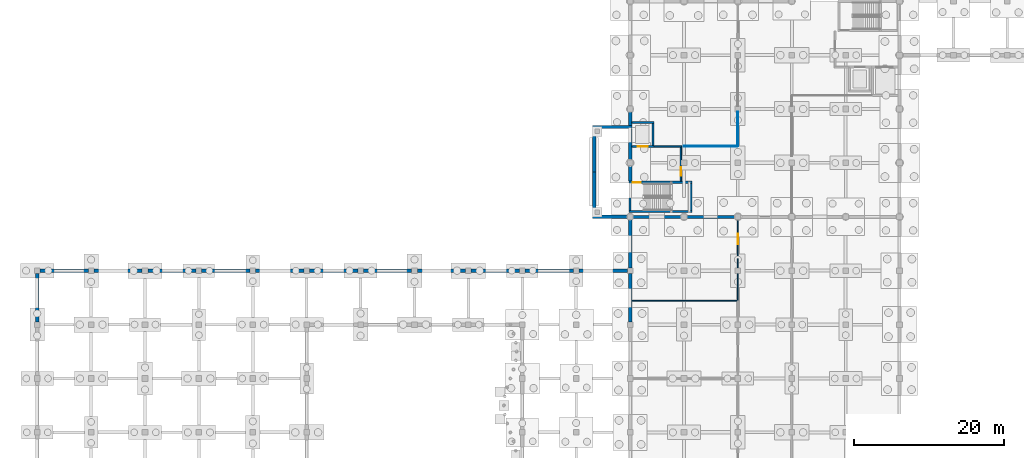
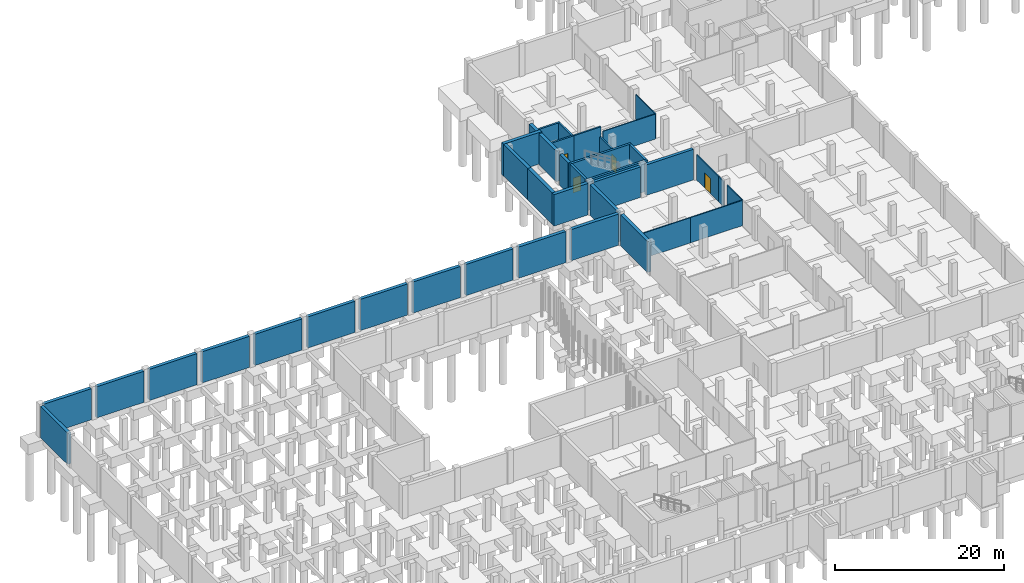
# One storey, part 27 of 35: 39 walls, 4 doors, 4 openings.
"""IFC4 building model written with IfcOpenShell, lengths in metres."""

from ifc_helpers import new_model, si_unit, direction, frame, frame_2d, origin, place, context, subcontext, project, spatial, rectangle, extrude, material, layer, layer_set, type_object, element, fill, save


model = new_model("IFC4")

# Units and contexts
model_context = context("Model", 3, precision=1e-05, world=origin(), true_north=direction((0.0, 1.0)))
body_context = subcontext(model_context, "Body", "Model", "MODEL_VIEW")
ifc_project = project(units=[si_unit("LENGTHUNIT", "METRE"), si_unit("AREAUNIT", "SQUARE_METRE"), si_unit("VOLUMEUNIT", "CUBIC_METRE"), si_unit("PLANEANGLEUNIT", "RADIAN"), si_unit("MASSUNIT", "GRAM", prefix="KILO"), si_unit("THERMODYNAMICTEMPERATUREUNIT", "KELVIN"), si_unit("POWERUNIT", "WATT")], contexts=[model_context])

# Site, building, storey
site_placement = place(None, origin())
site = spatial("IfcSite", under=ifc_project, at=site_placement, CompositionType="ELEMENT")
building_placement = place(site_placement, origin())
building = spatial("IfcBuilding", under=site, at=building_placement, Name="Kaldorven Railside Theatre", CompositionType="ELEMENT")
storey_placement = place(building_placement, frame((0.0, 0.0, -4.800048828125)))
storey = spatial("IfcBuildingStorey", under=building, at=storey_placement, Name="B1", CompositionType="ELEMENT", Elevation=-4.800048828125)

# Walls
ifc_material_1 = material(Name="Concrete C40/50", Category="concrete")
ifc_layer_1 = layer(ifc_material_1, 0.449951171875, Name="Concrete C40/50")
ifc_layer_set_1 = layer_set([ifc_layer_1], Name="Concrete C40/50")
wall_type_1 = type_object("IfcWallType", Name="WL-EW01", PredefinedType="SHEAR", material=ifc_layer_set_1)
for number, where, z_axis, x_axis, name in (
    (1, (8.0, 69.97509765625, 0.0), (0.0, 0.0, 1.0), (0.0, 1.0, 0.0), "Basement Plinth Retaining Wall EW-0008"),
    (2, (8.375, 76.800048828125, 0.0), (0.0, 0.0, 1.0), (1.0, 0.0, 0.0), "Basement Plinth Retaining Wall EW-0009"),
    (3, (15.574951171875, 76.800048828125, 0.0), (0.0, 0.0, 1.0), (1.0, 0.0, 0.0), "Basement Plinth Retaining Wall EW-0010"),
):
    element("IfcWall", number, at=place(storey_placement, frame(where, z_axis=z_axis, x_axis=x_axis)), inside=storey, type_object=wall_type_1, Name=name, PredefinedType="SHEAR", context=body_context, shape_type="SweptSolid", body=[
        extrude(rectangle(XDim=6.449951171875, YDim=0.449951171875, at=frame_2d((3.22509765625, 0.0))), origin(), (0.0, 0.0, 1.0), 4.5),
    ])
wall_1_placement = place(storey_placement, frame((22.77490234375, 76.800048828125, 0.0), z_axis=(0.0, 0.0, 1.0), x_axis=(1.0, 0.0, 0.0)))
element("IfcWall", 4, at=wall_1_placement, inside=storey, type_object=wall_type_1, Name="Basement Plinth Retaining Wall EW-0011", PredefinedType="SHEAR", context=body_context, shape_type="SweptSolid", body=[
    extrude(rectangle(XDim=6.4501953125, YDim=0.449951171875, at=frame_2d((3.22509765625, 0.0))), origin(), (0.0, 0.0, 1.0), 4.5),
])
for number, where, z_axis, x_axis, name in (
    (5, (29.97509765625, 76.800048828125, 0.0), (0.0, 0.0, 1.0), (1.0, 0.0, 0.0), "Basement Plinth Retaining Wall EW-0012"),
    (6, (37.175048828125, 76.800048828125, 0.0), (0.0, 0.0, 1.0), (1.0, 0.0, 0.0), "Basement Plinth Retaining Wall EW-0013"),
    (7, (44.375, 76.800048828125, 0.0), (0.0, 0.0, 1.0), (1.0, 0.0, 0.0), "Basement Plinth Retaining Wall EW-0014"),
    (8, (51.574951171875, 76.800048828125, 0.0), (0.0, 0.0, 1.0), (1.0, 0.0, 0.0), "Basement Plinth Retaining Wall EW-0015"),
):
    element("IfcWall", number, at=place(storey_placement, frame(where, z_axis=z_axis, x_axis=x_axis)), inside=storey, type_object=wall_type_1, Name=name, PredefinedType="SHEAR", context=body_context, shape_type="SweptSolid", body=[
        extrude(rectangle(XDim=6.449951171875, YDim=0.449951171875, at=frame_2d((3.22509765625, 0.0))), origin(), (0.0, 0.0, 1.0), 4.5),
    ])
wall_2_placement = place(storey_placement, frame((58.77490234375, 76.800048828125, 0.0), z_axis=(0.0, 0.0, 1.0), x_axis=(1.0, 0.0, 0.0)))
element("IfcWall", 9, at=wall_2_placement, inside=storey, type_object=wall_type_1, Name="Basement Plinth Retaining Wall EW-0016", PredefinedType="SHEAR", context=body_context, shape_type="SweptSolid", body=[
    extrude(rectangle(XDim=6.4501953125, YDim=0.449951171875, at=frame_2d((3.22509765625, 0.0))), origin(), (0.0, 0.0, 1.0), 4.5),
])
for number, where, z_axis, x_axis, name in (
    (10, (65.97509765625, 76.800048828125, 0.0), (0.0, 0.0, 1.0), (1.0, 0.0, 0.0), "Basement Plinth Retaining Wall EW-0017"),
    (11, (73.175048828125, 76.800048828125, 0.0), (0.0, 0.0, 1.0), (1.0, 0.0, 0.0), "Basement Plinth Retaining Wall EW-0018"),
    (12, (80.375, 76.800048828125, 0.0), (0.0, 0.0, 1.0), (1.0, 0.0, 0.0), "Basement Plinth Retaining Wall EW-0019"),
):
    element("IfcWall", number, at=place(storey_placement, frame(where, z_axis=z_axis, x_axis=x_axis)), inside=storey, type_object=wall_type_1, Name=name, PredefinedType="SHEAR", context=body_context, shape_type="SweptSolid", body=[
        extrude(rectangle(XDim=6.449951171875, YDim=0.449951171875, at=frame_2d((3.22509765625, 0.0))), origin(), (0.0, 0.0, 1.0), 4.5),
    ])
wall_3_placement = place(storey_placement, frame((87.199951171875, 77.175048828125, 0.0), z_axis=(0.0, 0.0, 1.0), x_axis=(0.0, 1.0, 0.0)))
element("IfcWall", 13, at=wall_3_placement, inside=storey, type_object=wall_type_1, Name="Basement Plinth Retaining Wall EW-0020", PredefinedType="SHEAR", context=body_context, shape_type="SweptSolid", body=[
    extrude(rectangle(XDim=6.449951171875, YDim=0.449951171875, at=frame_2d((3.22509765625, 0.0))), origin(), (0.0, 0.0, 1.0), 4.449951171875),
])
wall_4_placement = place(storey_placement, frame((86.824951171875, 84.0, 0.0), z_axis=(0.0, 0.0, 1.0), x_axis=(-1.0, 0.0, 0.0)))
element("IfcWall", 14, at=wall_4_placement, inside=storey, type_object=wall_type_1, Name="Basement Plinth Retaining Wall EW-0021", PredefinedType="SHEAR", context=body_context, shape_type="SweptSolid", body=[
    extrude(rectangle(XDim=4.64990234375, YDim=0.449951171875, at=frame_2d((2.324951171875, 0.0))), origin(), (0.0, 0.0, 1.0), 4.550048828125),
])
for number, where, z_axis, x_axis, name in (
    (15, (82.39990234375, 84.22509765625, 0.0), (0.0, 0.0, 1.0), (0.0, 1.0, 0.0), "Basement Plinth Retaining Wall EW-0022"),
    (16, (82.39990234375, 90.0, 0.0), (0.0, 0.0, 1.0), (0.0, 1.0, 0.0), "Basement Plinth Retaining Wall EW-0023"),
):
    element("IfcWall", number, at=place(storey_placement, frame(where, z_axis=z_axis, x_axis=x_axis)), inside=storey, type_object=wall_type_1, Name=name, PredefinedType="SHEAR", context=body_context, shape_type="SweptSolid", body=[
        extrude(rectangle(XDim=5.77490234375, YDim=0.449951171875, at=frame_2d((2.887451171875, 0.0))), origin(), (0.0, 0.0, 1.0), 4.550048828125),
    ])
wall_5_placement = place(storey_placement, frame((82.175048828125, 96.0, 0.0), z_axis=(0.0, 0.0, 1.0), x_axis=(1.0, 0.0, 0.0)))
element("IfcWall", 17, at=wall_5_placement, inside=storey, type_object=wall_type_1, Name="Basement Plinth Retaining Wall EW-0024", PredefinedType="SHEAR", context=body_context, shape_type="SweptSolid", body=[
    extrude(rectangle(XDim=5.25, YDim=0.449951171875, at=frame_2d((2.625, 0.0))), origin(), (0.0, 0.0, 1.0), 4.550048828125),
])
wall_6_placement = place(storey_placement, frame((87.199951171875, 96.22509765625, 0.0), z_axis=(0.0, 0.0, 1.0), x_axis=(0.0, 1.0, 0.0)))
element("IfcWall", 18, at=wall_6_placement, inside=storey, type_object=wall_type_1, Name="Basement Plinth Retaining Wall EW-0025", PredefinedType="SHEAR", context=body_context, shape_type="SweptSolid", body=[
    extrude(rectangle(XDim=1.7998046875, YDim=0.449951171875, at=frame_2d((0.89990234375, 0.0))), origin(), (0.0, 0.0, 1.0), 4.420166015625),
])
wall_7_placement = place(storey_placement, frame((87.199951171875, 69.97509765625, 0.0), z_axis=(0.0, 0.0, 1.0), x_axis=(0.0, 1.0, 0.0)))
element("IfcWall", 19, at=wall_7_placement, inside=storey, type_object=wall_type_1, Name="Basement Compartment Retaining Wall EW-0120", PredefinedType="SHEAR", context=body_context, shape_type="SweptSolid", body=[
    extrude(rectangle(XDim=6.449951171875, YDim=0.449951171875, at=frame_2d((3.22509765625, 0.0))), origin(), (0.0, 0.0, 1.0), 4.449951171875),
])
wall_8_placement = place(storey_placement, frame((87.199951171875, 88.75, 0.0), z_axis=(0.0, 0.0, 1.0), x_axis=(0.0, 1.0, 0.0)))
element("IfcWall", 20, at=wall_8_placement, inside=storey, type_object=wall_type_1, Name="Basement Compartment Retaining Wall EW-0121", PredefinedType="SHEAR", context=body_context, shape_type="SweptSolid", body=[
    extrude(rectangle(XDim=2.074951171875, YDim=0.449951171875, at=frame_2d((1.03759765625, 0.0))), origin(), (0.0, 0.0, 1.0), 4.420166015625),
])
wall_9_placement = place(storey_placement, frame((87.199951171875, 91.574951171875, 0.0), z_axis=(0.0, 0.0, 1.0), x_axis=(0.0, 1.0, 0.0)))
element("IfcWall", 21, at=wall_9_placement, inside=storey, type_object=wall_type_1, Name="Basement Compartment Retaining Wall EW-0122", PredefinedType="SHEAR", context=body_context, shape_type="SweptSolid", body=[
    extrude(rectangle(XDim=4.125, YDim=0.449951171875, at=frame_2d((2.0625, 0.0))), origin(), (0.0, 0.0, 1.0), 4.420166015625),
])
ifc_material_2 = material(Name="Acoustic gypsum board")
ifc_layer_2 = layer(ifc_material_2, 0.139892578125, Name="Acoustic gypsum board")
ifc_layer_set_2 = layer_set([ifc_layer_2], Name="Acoustic gypsum board")
wall_type_2 = type_object("IfcWallType", Name="WL-IW-AC2", PredefinedType="PARTITIONING", material=ifc_layer_set_2)
wall_10_placement = place(storey_placement, frame((101.60009765625, 72.800048828125, 0.0), z_axis=(0.0, 0.0, 1.0), x_axis=(0.0, 1.0, 0.0)))
element("IfcWall", 22, at=wall_10_placement, inside=storey, type_object=wall_type_2, Name="B1 Interior Wall IW-0396", PredefinedType="PARTITIONING", context=body_context, shape_type="SweptSolid", body=[
    extrude(rectangle(XDim=3.625, YDim=0.139892578125, at=frame_2d((1.8125, 0.0))), origin(), (0.0, 0.0, 1.0), 3.64501953125),
])
wall_11_placement = place(storey_placement, frame((101.60009765625, 77.175048828125, 0.0), z_axis=(0.0, 0.0, 1.0), x_axis=(0.0, 1.0, 0.0)))
element("IfcWall", 23, at=wall_11_placement, inside=storey, type_object=wall_type_2, Name="B1 Interior Wall IW-0397", PredefinedType="PARTITIONING", context=body_context, shape_type="SweptSolid", body=[
    extrude(rectangle(XDim=1.224853515625, YDim=0.139892578125, at=frame_2d((0.6123046875, 0.0))), origin(), (0.0, 0.0, 1.0), 3.64501953125),
])

# Wall, opening, door
wall_12_placement = place(storey_placement, frame((101.60009765625, 78.39990234375, 0.0), z_axis=(0.0, 0.0, 1.0), x_axis=(0.0, 1.0, 0.0)))
wall_12 = element("IfcWall", 24, at=wall_12_placement, inside=storey, type_object=wall_type_2, Name="B1 Interior Wall IW-0398", PredefinedType="PARTITIONING", context=body_context, shape_type="SweptSolid", body=[
    extrude(rectangle(XDim=5.22509765625, YDim=0.139892578125, at=frame_2d((2.612548828125, 0.0))), origin(), (0.0, 0.0, 1.0), 3.64501953125),
])
opening_1_placement = place(wall_12_placement, frame((1.91259765625, 0.0, 0.0)))
opening_1 = element("IfcOpeningElement", 25, at=opening_1_placement, cuts=wall_12, Name="Opening ID-0090", PredefinedType="OPENING", context=body_context, shape_type="SweptSolid", body=[
    extrude(rectangle(XDim=1.39990234375, YDim=2.199951171875, at=frame_2d((0.699951171875, 1.10009765625))), frame((0.0, 0.080078125, 0.0), z_axis=(0.0, -1.0, 0.0), x_axis=(1.0, 0.0, 0.0)), (0.0, 0.0, 1.0), 0.159912109375),
])
ifc_material_3 = material(Name="Powder-coated hollow-metal steel", Category="steel")
door_type_1 = type_object("IfcDoorType", Name="DR-ID-PLT1", OperationType="NOTDEFINED", PredefinedType="DOOR", material=ifc_material_3)
door_1_placement = place(opening_1_placement, origin())
door_1 = element("IfcDoor", 26, at=door_1_placement, inside=storey, type_object=door_type_1, Name="Orchestra Pit Entry Door", OperationType="SINGLE_SWING_LEFT", OverallHeight=2.199951171875, OverallWidth=1.39990234375, PredefinedType="DOOR", context=body_context, shape_type="SweptSolid", body=[
    extrude(rectangle(XDim=1.39990234375, YDim=2.199951171875, at=frame_2d((0.699951171875, 1.10009765625))), frame((0.0, 0.02490234375, 0.0), z_axis=(0.0, -1.0, 0.0), x_axis=(1.0, 0.0, 0.0)), (0.0, 0.0, 1.0), 0.050048828125),
])
fill(opening_1, door_1)

# Walls
wall_13_placement = place(storey_placement, frame((87.427001953125, 72.800048828125, 0.0), z_axis=(0.0, 0.0, 1.0), x_axis=(1.0, 0.0, 0.0)))
element("IfcWall", 27, at=wall_13_placement, inside=storey, type_object=wall_type_2, Name="B1 Interior Wall IW-0399", PredefinedType="PARTITIONING", context=body_context, shape_type="SweptSolid", body=[
    extrude(rectangle(XDim=6.972900390625, YDim=0.139892578125, at=frame_2d((3.486328125, 0.0))), origin(), (0.0, 0.0, 1.0), 3.64501953125),
])
wall_14_placement = place(storey_placement, frame((94.39990234375, 72.800048828125, 0.0), z_axis=(0.0, 0.0, 1.0), x_axis=(1.0, 0.0, 0.0)))
element("IfcWall", 28, at=wall_14_placement, inside=storey, type_object=wall_type_2, Name="B1 Interior Wall IW-0400", PredefinedType="PARTITIONING", context=body_context, shape_type="SweptSolid", body=[
    extrude(rectangle(XDim=7.128173828125, YDim=0.139892578125, at=frame_2d((3.56396484375, 0.0))), origin(), (0.0, 0.0, 1.0), 3.64501953125),
])
ifc_layer_3 = layer(ifc_material_1, 0.300048828125, Name="Concrete C40/50")
ifc_layer_set_3 = layer_set([ifc_layer_3], Name="Concrete C40/50")
wall_type_3 = type_object("IfcWallType", Name="WL-IW-CORE", PredefinedType="SHEAR", material=ifc_layer_set_3)
wall_15_placement = place(storey_placement, frame((95.449951171875, 84.699951171875, 0.0), z_axis=(0.0, 0.0, 1.0), x_axis=(-1.0, 0.0, 0.0)))
element("IfcWall", 29, at=wall_15_placement, inside=storey, type_object=wall_type_3, Name="B1 Core Wall CW-0129", PredefinedType="SHEAR", context=body_context, shape_type="SweptSolid", body=[
    extrude(rectangle(XDim=8.39990234375, YDim=0.300048828125, at=frame_2d((4.199951171875, 0.0))), origin(), (0.0, 0.0, 1.0), 4.420166015625),
])
wall_16_placement = place(storey_placement, frame((87.199951171875, 84.85205078125, 0.0), z_axis=(0.0, 0.0, 1.0), x_axis=(0.0, 1.0, 0.0)))
element("IfcWall", 30, at=wall_16_placement, inside=storey, type_object=wall_type_3, Name="B1 Core Wall CW-0130", PredefinedType="SHEAR", context=body_context, shape_type="SweptSolid", body=[
    extrude(rectangle(XDim=3.597900390625, YDim=0.300048828125, at=frame_2d((1.798828125, 0.0))), origin(), (0.0, 0.0, 1.0), 4.420166015625),
])

# Wall, opening, door
wall_17_placement = place(storey_placement, frame((87.050048828125, 88.60009765625, 0.0), z_axis=(0.0, 0.0, 1.0), x_axis=(1.0, 0.0, 0.0)))
wall_17 = element("IfcWall", 31, at=wall_17_placement, inside=storey, type_object=wall_type_3, Name="B1 Core Wall CW-0131", PredefinedType="SHEAR", context=body_context, shape_type="SweptSolid", body=[
    extrude(rectangle(XDim=8.39990234375, YDim=0.300048828125, at=frame_2d((4.199951171875, 0.0))), origin(), (0.0, 0.0, 1.0), 4.420166015625),
])
opening_2_placement = place(wall_17_placement, frame((0.489990234375, 0.0, 0.0)))
opening_2 = element("IfcOpeningElement", 32, at=opening_2_placement, cuts=wall_17, Name="Opening ID-0018", PredefinedType="OPENING", context=body_context, shape_type="SweptSolid", body=[
    extrude(rectangle(XDim=1.10009765625, YDim=2.14990234375, at=frame_2d((0.550048828125, 1.074951171875))), frame((0.0, 0.16015625, 0.0), z_axis=(0.0, -1.0, 0.0), x_axis=(1.0, 0.0, 0.0)), (0.0, 0.0, 1.0), 0.320068359375),
])
ifc_material_4 = material(Name="Acoustic hardwood timber", Category="wood")
door_type_2 = type_object("IfcDoorType", Name="DR-ID-FD60", OperationType="NOTDEFINED", PredefinedType="DOOR", material=ifc_material_4)
door_2_placement = place(opening_2_placement, origin())
door_2 = element("IfcDoor", 33, at=door_2_placement, inside=storey, type_object=door_type_2, Name="Stair ST-05 Fire Door", OperationType="SINGLE_SWING_RIGHT", OverallHeight=2.14990234375, OverallWidth=1.10009765625, PredefinedType="DOOR", context=body_context, shape_type="SweptSolid", body=[
    extrude(rectangle(XDim=1.10009765625, YDim=2.14990234375, at=frame_2d((0.550048828125, 1.074951171875))), frame((0.0, 0.02490234375, 0.0), z_axis=(0.0, -1.0, 0.0), x_axis=(1.0, 0.0, 0.0)), (0.0, 0.0, 1.0), 0.050048828125),
])
fill(opening_2, door_2)

# Walls
wall_18_placement = place(storey_placement, frame((95.300048828125, 88.447998046875, 0.0), z_axis=(0.0, 0.0, 1.0), x_axis=(0.0, -1.0, 0.0)))
element("IfcWall", 34, at=wall_18_placement, inside=storey, type_object=wall_type_3, Name="B1 Core Wall CW-0132", PredefinedType="SHEAR", context=body_context, shape_type="SweptSolid", body=[
    extrude(rectangle(XDim=3.595947265625, YDim=0.300048828125, at=frame_2d((1.7978515625, 0.0))), origin(), (0.0, 0.0, 1.0), 4.420166015625),
])
ifc_material_5 = material(Name="Concrete C35/45", Category="concrete")
ifc_layer_4 = layer(ifc_material_5, 0.199951171875, Name="Concrete C35/45")
ifc_layer_set_4 = layer_set([ifc_layer_4], Name="Concrete C35/45")
wall_type_4 = type_object("IfcWallType", Name="WL-IW-FF", PredefinedType="PARTITIONING", material=ifc_layer_set_4)
wall_19_placement = place(storey_placement, frame((90.3701171875, 93.39990234375, 0.0), z_axis=(0.0, 0.0, 1.0), x_axis=(1.0, 0.0, 0.0)))
element("IfcWall", 35, at=wall_19_placement, inside=storey, type_object=wall_type_4, Name="B1 Interior Wall FFW-0183", PredefinedType="PARTITIONING", context=body_context, shape_type="SweptSolid", body=[
    extrude(rectangle(XDim=3.72998046875, YDim=0.199951171875, at=frame_2d((1.864990234375, 0.0))), origin(), (0.0, 0.0, 1.0), 4.420166015625),
])

# Wall, opening, door
wall_20_placement = place(storey_placement, frame((94.0, 93.298095703125, 0.0), z_axis=(0.0, 0.0, 1.0), x_axis=(0.0, -1.0, 0.0)))
wall_20 = element("IfcWall", 36, at=wall_20_placement, inside=storey, type_object=wall_type_4, Name="B1 Interior Wall FFW-0184", PredefinedType="PARTITIONING", context=body_context, shape_type="SweptSolid", body=[
    extrude(rectangle(XDim=4.546142578125, YDim=0.199951171875, at=frame_2d((2.27294921875, 0.0))), origin(), (0.0, 0.0, 1.0), 3.01513671875),
])
opening_3_placement = place(wall_20_placement, frame((2.64794921875, 0.0, 0.0)))
opening_3 = element("IfcOpeningElement", 37, at=opening_3_placement, cuts=wall_20, Name="Opening ID-0025", PredefinedType="OPENING", context=body_context, shape_type="SweptSolid", body=[
    extrude(rectangle(XDim=1.14990234375, YDim=2.14990234375, at=frame_2d((0.574951171875, 1.074951171875))), frame((0.0, 0.10986328125, 0.0), z_axis=(0.0, -1.0, 0.0), x_axis=(1.0, 0.0, 0.0)), (0.0, 0.0, 1.0), 0.219970703125),
])
door_type_3 = type_object("IfcDoorType", Name="DR-ID-FD120", OperationType="NOTDEFINED", PredefinedType="DOOR", material=ifc_material_3)
door_3_placement = place(opening_3_placement, origin())
door_3 = element("IfcDoor", 38, at=door_3_placement, inside=storey, type_object=door_type_3, Name="Firefighting Lobby C-STW Door", OperationType="SINGLE_SWING_LEFT", OverallHeight=2.14990234375, OverallWidth=1.14990234375, PredefinedType="DOOR", context=body_context, shape_type="SweptSolid", body=[
    extrude(rectangle(XDim=1.14990234375, YDim=2.14990234375, at=frame_2d((0.574951171875, 1.074951171875))), frame((0.0, 0.02490234375, 0.0), z_axis=(0.0, -1.0, 0.0), x_axis=(1.0, 0.0, 0.0)), (0.0, 0.0, 1.0), 0.050048828125),
])
fill(opening_3, door_3)

# Walls
ifc_layer_5 = layer(ifc_material_1, 0.39990234375, Name="Concrete C40/50")
ifc_layer_set_5 = layer_set([ifc_layer_5], Name="Concrete C40/50")
wall_type_5 = type_object("IfcWallType", Name="WL-IW-PROSC", PredefinedType="SHEAR", material=ifc_layer_set_5)
wall_21_placement = place(storey_placement, frame((87.574951171875, 84.0, 0.0), z_axis=(0.0, 0.0, 1.0), x_axis=(1.0, 0.0, 0.0)))
element("IfcWall", 39, at=wall_21_placement, inside=storey, type_object=wall_type_5, Name="B1 Interior Wall PW-0325", PredefinedType="SHEAR", context=body_context, shape_type="SweptSolid", body=[
    extrude(rectangle(XDim=6.449951171875, YDim=0.39990234375, at=frame_2d((3.22509765625, 0.0))), origin(), (0.0, 0.0, 1.0), 4.420166015625),
])
wall_22_placement = place(storey_placement, frame((94.77490234375, 84.0, 0.0), z_axis=(0.0, 0.0, 1.0), x_axis=(1.0, 0.0, 0.0)))
element("IfcWall", 40, at=wall_22_placement, inside=storey, type_object=wall_type_5, Name="B1 Interior Wall PW-0326", PredefinedType="SHEAR", context=body_context, shape_type="SweptSolid", body=[
    extrude(rectangle(XDim=6.4501953125, YDim=0.39990234375, at=frame_2d((3.22509765625, 0.0))), origin(), (0.0, 0.0, 1.0), 4.420166015625),
])
ifc_material_6 = material(Name="Fire-rated acoustic gypsum board")
ifc_layer_6 = layer(ifc_material_6, 0.1201171875, Name="Fire-rated acoustic gypsum board")
ifc_layer_set_6 = layer_set([ifc_layer_6], Name="Fire-rated acoustic gypsum board")
wall_type_6 = type_object("IfcWallType", Name="WL-IW-PT1", PredefinedType="PARTITIONING", material=ifc_layer_set_6)
wall_23_placement = place(storey_placement, frame((101.60009765625, 93.39990234375, 0.0), z_axis=(0.0, 0.0, 1.0), x_axis=(0.0, 1.0, 0.0)))
element("IfcWall", 41, at=wall_23_placement, inside=storey, type_object=wall_type_6, Name="B1 Interior Wall IW-0401", PredefinedType="PARTITIONING", context=body_context, shape_type="SweptSolid", body=[
    extrude(rectangle(XDim=4.625, YDim=0.1201171875, at=frame_2d((2.3125, 0.0))), origin(), (0.0, 0.0, 1.0), 3.614990234375),
])
wall_24_placement = place(storey_placement, frame((94.39990234375, 93.39990234375, 0.0), z_axis=(0.0, 0.0, 1.0), x_axis=(1.0, 0.0, 0.0)))
element("IfcWall", 42, at=wall_24_placement, inside=storey, type_object=wall_type_6, Name="B1 Interior Wall IW-0405", PredefinedType="PARTITIONING", context=body_context, shape_type="SweptSolid", body=[
    extrude(rectangle(XDim=7.13818359375, YDim=0.1201171875, at=frame_2d((3.569091796875, 0.0))), origin(), (0.0, 0.0, 1.0), 3.614990234375),
])

# Wall, opening, door
ifc_layer_7 = layer(ifc_material_1, 0.239990234375, Name="Concrete C40/50")
ifc_layer_set_7 = layer_set([ifc_layer_7], Name="Concrete C40/50")
wall_type_7 = type_object("IfcWallType", Name="WL-IW-SHAFT", PredefinedType="SHEAR", material=ifc_layer_set_7)
wall_25_placement = place(storey_placement, frame((90.3701171875, 93.39990234375, 0.0), z_axis=(0.0, 0.0, 1.0), x_axis=(-1.0, 0.0, 0.0)))
wall_25 = element("IfcWall", 43, at=wall_25_placement, inside=storey, type_object=wall_type_7, Name="B1 Interior Wall SW-0157", PredefinedType="SHEAR", context=body_context, shape_type="SweptSolid", body=[
    extrude(rectangle(XDim=2.943115234375, YDim=0.239990234375, at=frame_2d((1.4716796875, 0.0))), origin(), (0.0, 0.0, 1.0), 4.420166015625),
])
opening_4_placement = place(wall_25_placement, frame((0.821533203125, 0.0, 0.0)))
opening_4 = element("IfcOpeningElement", 44, at=opening_4_placement, cuts=wall_25, Name="Opening LD-016", PredefinedType="OPENING", context=body_context, shape_type="SweptSolid", body=[
    extrude(rectangle(XDim=1.300048828125, YDim=2.14990234375, at=frame_2d((0.64990234375, 1.074951171875))), frame((0.0, 0.1298828125, 0.0), z_axis=(0.0, -1.0, 0.0), x_axis=(1.0, 0.0, 0.0)), (0.0, 0.0, 1.0), 0.260009765625),
])
door_type_4 = type_object("IfcDoorType", Name="DR-LD-FF", OperationType="NOTDEFINED", PredefinedType="DOOR", material=ifc_material_3)
door_4_placement = place(opening_4_placement, origin())
door_4 = element("IfcDoor", 45, at=door_4_placement, inside=storey, type_object=door_type_4, Name="Lift LF-FF1 Sliding Landing Door", OperationType="DOUBLE_DOOR_SLIDING", OverallHeight=2.14990234375, OverallWidth=1.300048828125, PredefinedType="DOOR", context=body_context, shape_type="SweptSolid", body=[
    extrude(rectangle(XDim=1.300048828125, YDim=2.14990234375, at=frame_2d((0.64990234375, 1.074951171875))), frame((0.0, 0.02490234375, 0.0), z_axis=(0.0, -1.0, 0.0), x_axis=(1.0, 0.0, 0.0)), (0.0, 0.0, 1.0), 0.050048828125),
])
fill(opening_4, door_4)

# Walls
wall_26_placement = place(storey_placement, frame((87.427001953125, 96.60009765625, 0.0), z_axis=(0.0, 0.0, 1.0), x_axis=(1.0, 0.0, 0.0)))
element("IfcWall", 46, at=wall_26_placement, inside=storey, type_object=wall_type_7, Name="B1 Interior Wall SW-0158", PredefinedType="SHEAR", context=body_context, shape_type="SweptSolid", body=[
    extrude(rectangle(XDim=2.943115234375, YDim=0.239990234375, at=frame_2d((1.4716796875, 0.0))), origin(), (0.0, 0.0, 1.0), 4.420166015625),
])
wall_27_placement = place(storey_placement, frame((90.25, 96.47802734375, 0.0), z_axis=(0.0, 0.0, 1.0), x_axis=(0.0, -1.0, 0.0)))
element("IfcWall", 47, at=wall_27_placement, inside=storey, type_object=wall_type_7, Name="B1 Interior Wall SW-0159", PredefinedType="SHEAR", context=body_context, shape_type="SweptSolid", body=[
    extrude(rectangle(XDim=2.9560546875, YDim=0.239990234375, at=frame_2d((1.47802734375, 0.0))), origin(), (0.0, 0.0, 1.0), 4.420166015625),
])

save(model, "model.ifc")
